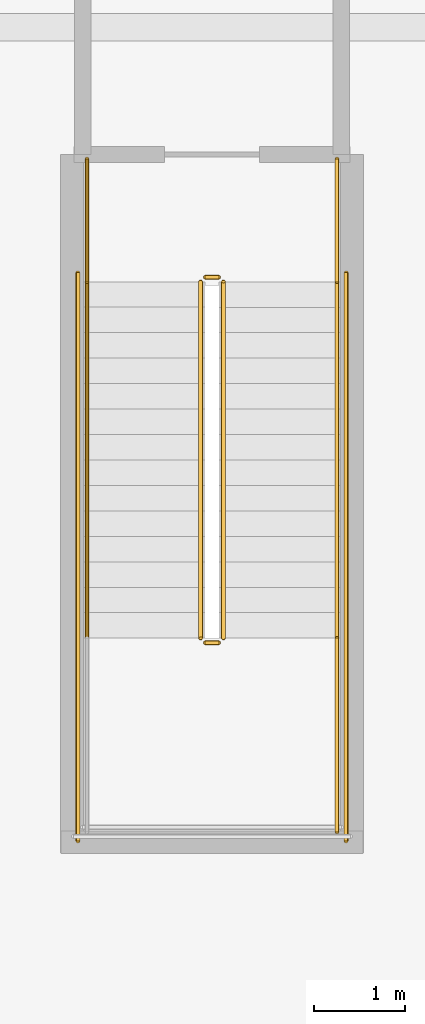
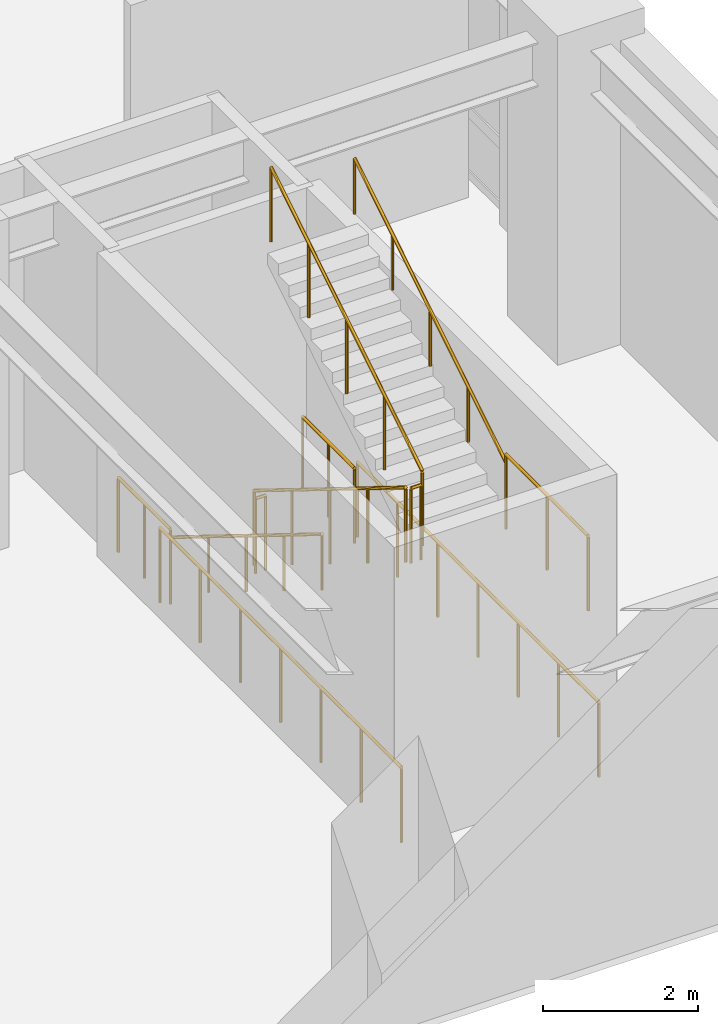
# One storey, part 26 of 26: 11 railings.
"""IFC4 building model written with IfcOpenShell, lengths in metres."""

from ifc_helpers import new_model, si_unit, direction, frame, origin, origin_2d, place, context, subcontext, project, spatial, circle, extrude, material, type_object, element, save


model = new_model("IFC4")

# Units and contexts
model_context = context("Model", 3, precision=1e-05, world=origin(), true_north=direction((0.0, 1.0)))
body_context = subcontext(model_context, "Body", "Model", "MODEL_VIEW")
ifc_project = project(units=[si_unit("LENGTHUNIT", "METRE"), si_unit("AREAUNIT", "SQUARE_METRE"), si_unit("VOLUMEUNIT", "CUBIC_METRE"), si_unit("PLANEANGLEUNIT", "RADIAN"), si_unit("MASSUNIT", "GRAM", prefix="KILO")], contexts=[model_context])

# Site, building, storey
site_placement = place(None, origin())
site = spatial("IfcSite", under=ifc_project, at=site_placement, CompositionType="ELEMENT")
building_placement = place(site_placement, origin())
building = spatial("IfcBuilding", under=site, at=building_placement, Name="Voryun Gate Residences", CompositionType="ELEMENT")
storey_placement = place(building_placement, frame((0.0, 0.0, 15.60009765625)))
storey = spatial("IfcBuildingStorey", under=building, at=storey_placement, Name="L03", CompositionType="ELEMENT", Elevation=15.60009765625)

# Railings
ifc_material_1 = material(Name="Painted steel", Category="steel")
railing_type_1 = type_object("IfcRailingType", Name="RAIL_STAIR_GUARD_1200", PredefinedType="GUARDRAIL", material=ifc_material_1)
railing_1_placement = place(storey_placement, frame((28.675048828125, -14.199951171875, 0.17333984375)))
element("IfcRailing", 1, at=railing_1_placement, inside=storey, type_object=railing_type_1, Name="L03 ST-P2 stair guard 1", PredefinedType="GUARDRAIL", context=body_context, shape_type="SweptSolid", body=[
    extrude(circle(Radius=0.02392578125, at=origin_2d()), frame((0.0, 0.0, 1.17578125), z_axis=(0.0, -0.850289973577, 0.526314507528), x_axis=(1.0, 0.0, 0.0)), (0.0, 0.0, 1.0), 4.6103515625),
    extrude(circle(Radius=0.02099609375, at=origin_2d()), origin(), (0.0, 0.0, 1.0), 1.15185546875),
    extrude(circle(Radius=0.02099609375, at=origin_2d()), frame((0.0, -0.97998046875, 0.606689453125)), (0.0, 0.0, 1.0), 1.15185546875),
    extrude(circle(Radius=0.02099609375, at=origin_2d()), frame((0.0, -1.9599609375, 1.21337890625)), (0.0, 0.0, 1.0), 1.15185546875),
    extrude(circle(Radius=0.02099609375, at=origin_2d()), frame((0.0, -2.940185546875, 1.81982421875)), (0.0, 0.0, 1.0), 1.15185546875),
    extrude(circle(Radius=0.02099609375, at=origin_2d()), frame((0.0, -3.920166015625, 2.426513671875)), (0.0, 0.0, 1.0), 1.15185546875),
])
railing_2_placement = place(storey_placement, frame((28.72509765625, -18.169921875, 2.599853515625)))
element("IfcRailing", 2, at=railing_2_placement, inside=storey, type_object=railing_type_1, Name="L03 ST-P2 stair guard 2", PredefinedType="GUARDRAIL", context=body_context, shape_type="SweptSolid", body=[
    extrude(circle(Radius=0.02392578125, at=origin_2d()), frame((0.0, 0.0, 1.17578125), z_axis=(1.0, 0.0, 0.0), x_axis=(0.0, 1.0, 0.0)), (0.0, 0.0, 1.0), 0.14990234375),
    extrude(circle(Radius=0.02099609375, at=origin_2d()), origin(), (0.0, 0.0, 1.0), 1.15185546875),
    extrude(circle(Radius=0.02099609375, at=origin_2d()), frame((0.14990234375, 0.0, 0.0)), (0.0, 0.0, 1.0), 1.15185546875),
])
railing_3_placement = place(storey_placement, frame((30.175048828125, -18.1201171875, 2.599853515625)))
element("IfcRailing", 3, at=railing_3_placement, inside=storey, type_object=railing_type_1, Name="L03 ST-P2 stair guard 4", PredefinedType="GUARDRAIL", context=body_context, shape_type="SweptSolid", body=[
    extrude(circle(Radius=0.02392578125, at=origin_2d()), frame((0.0, 0.0, 1.17578125), z_axis=(0.0, -1.0, 0.0), x_axis=(1.0, 0.0, 0.0)), (0.0, 0.0, 1.0), 2.1298828125),
    extrude(circle(Radius=0.02099609375, at=origin_2d()), origin(), (0.0, 0.0, 1.0), 1.15185546875),
    extrude(circle(Radius=0.02099609375, at=origin_2d()), frame((0.0, -1.06494140625, 0.0)), (0.0, 0.0, 1.0), 1.15185546875),
    extrude(circle(Radius=0.02099609375, at=origin_2d()), frame((0.0, -2.1298828125, 0.0)), (0.0, 0.0, 1.0), 1.15185546875),
])
railing_4_placement = place(storey_placement, frame((28.925048828125, -18.1201171875, 2.773193359375)))
element("IfcRailing", 4, at=railing_4_placement, inside=storey, type_object=railing_type_1, Name="L03 ST-P2 stair guard 6", PredefinedType="GUARDRAIL", context=body_context, shape_type="SweptSolid", body=[
    extrude(circle(Radius=0.02392578125, at=origin_2d()), frame((0.0, 0.0, 1.17578125), z_axis=(0.0, 0.850266275192, 0.526352791643), x_axis=(-1.0, 0.0, 0.0)), (0.0, 0.0, 1.0), 4.610595703125),
    extrude(circle(Radius=0.02099609375, at=origin_2d()), origin(), (0.0, 0.0, 1.0), 1.15185546875),
    extrude(circle(Radius=0.02099609375, at=origin_2d()), frame((0.0, 0.97998046875, 0.606689453125)), (0.0, 0.0, 1.0), 1.15185546875),
    extrude(circle(Radius=0.02099609375, at=origin_2d()), frame((0.0, 1.9599609375, 1.21337890625)), (0.0, 0.0, 1.0), 1.15185546875),
    extrude(circle(Radius=0.02099609375, at=origin_2d()), frame((0.0, 2.940185546875, 1.820068359375)), (0.0, 0.0, 1.0), 1.15185546875),
    extrude(circle(Radius=0.02099609375, at=origin_2d()), frame((0.0, 3.920166015625, 2.4267578125)), (0.0, 0.0, 1.0), 1.15185546875),
])
railing_5_placement = place(storey_placement, frame((28.72509765625, -14.14990234375, 0.0)))
element("IfcRailing", 5, at=railing_5_placement, inside=storey, type_object=railing_type_1, Name="L03 ST-P2 stair guard 7", PredefinedType="GUARDRAIL", context=body_context, shape_type="SweptSolid", body=[
    extrude(circle(Radius=0.02392578125, at=origin_2d()), frame((0.0, 0.0, 1.17578125), z_axis=(1.0, 0.0, 0.0), x_axis=(0.0, 1.0, 0.0)), (0.0, 0.0, 1.0), 0.14990234375),
    extrude(circle(Radius=0.02099609375, at=origin_2d()), origin(), (0.0, 0.0, 1.0), 1.15185546875),
    extrude(circle(Radius=0.02099609375, at=origin_2d()), frame((0.14990234375, 0.0, 0.0)), (0.0, 0.0, 1.0), 1.15185546875),
])
for number, where, name in (
    (6, (27.425048828125, -12.85009765625, 0.0), "L03 ST-P2 stair guard 8"),
    (7, (30.175048828125, -12.85009765625, 0.0), "L03 ST-P2 stair guard 9"),
):
    element("IfcRailing", number, at=place(storey_placement, frame(where)), inside=storey, type_object=railing_type_1, Name=name, PredefinedType="GUARDRAIL", context=body_context, shape_type="SweptSolid", body=[
        extrude(circle(Radius=0.02392578125, at=origin_2d()), frame((0.0, 0.0, 1.17578125), z_axis=(0.0, -1.0, 0.0), x_axis=(1.0, 0.0, 0.0)), (0.0, 0.0, 1.0), 1.349853515625),
        extrude(circle(Radius=0.02099609375, at=origin_2d()), origin(), (0.0, 0.0, 1.0), 1.15185546875),
        extrude(circle(Radius=0.02099609375, at=origin_2d()), frame((0.0, -0.6748046875, 0.0)), (0.0, 0.0, 1.0), 1.15185546875),
        extrude(circle(Radius=0.02099609375, at=origin_2d()), frame((0.0, -1.349853515625, 0.0)), (0.0, 0.0, 1.0), 1.15185546875),
    ])
for number, where, name in (
    (8, (27.324951171875, -14.10009765625, 0.0), "L03 ST-P2 stair guard 10"),
    (9, (30.27490234375, -14.10009765625, 0.0), "L03 ST-P2 stair guard 11"),
):
    element("IfcRailing", number, at=place(storey_placement, frame(where)), inside=storey, type_object=railing_type_1, Name=name, PredefinedType="GUARDRAIL", context=body_context, shape_type="SweptSolid", body=[
        extrude(circle(Radius=0.02392578125, at=origin_2d()), frame((0.0, 0.0, 1.17578125), z_axis=(0.0, -1.0, 0.0), x_axis=(1.0, 0.0, 0.0)), (0.0, 0.0, 1.0), 6.25),
        extrude(circle(Radius=0.02099609375, at=origin_2d()), origin(), (0.0, 0.0, 1.0), 1.15185546875),
        extrude(circle(Radius=0.02099609375, at=origin_2d()), frame((0.0, -1.041748046875, 0.0)), (0.0, 0.0, 1.0), 1.15185546875),
        extrude(circle(Radius=0.02099609375, at=origin_2d()), frame((0.0, -2.083251953125, 0.0)), (0.0, 0.0, 1.0), 1.15185546875),
        extrude(circle(Radius=0.02099609375, at=origin_2d()), frame((0.0, -3.125, 0.0)), (0.0, 0.0, 1.0), 1.15185546875),
        extrude(circle(Radius=0.02099609375, at=origin_2d()), frame((0.0, -4.166748046875, 0.0)), (0.0, 0.0, 1.0), 1.15185546875),
        extrude(circle(Radius=0.02099609375, at=origin_2d()), frame((0.0, -5.208251953125, 0.0)), (0.0, 0.0, 1.0), 1.15185546875),
        extrude(circle(Radius=0.02099609375, at=origin_2d()), frame((0.0, -6.25, 0.0)), (0.0, 0.0, 1.0), 1.15185546875),
    ])
ifc_material_2 = material(Name="Painted steel", Category="steel")
railing_type_2 = type_object("IfcRailingType", Name="RAIL_STAIR_HANDRAIL_900", PredefinedType="HANDRAIL", material=ifc_material_2)
railing_6_placement = place(storey_placement, frame((27.425048828125, -14.199951171875, 0.17333984375)))
element("IfcRailing", 10, at=railing_6_placement, inside=storey, type_object=railing_type_2, Name="L03 ST-P2 stair handrail 1", PredefinedType="HANDRAIL", context=body_context, shape_type="SweptSolid", body=[
    extrude(circle(Radius=0.02392578125, at=origin_2d()), frame((0.0, 0.0, 0.8759765625), z_axis=(0.0, -0.850289973577, 0.526314507528), x_axis=(1.0, 0.0, 0.0)), (0.0, 0.0, 1.0), 4.6103515625),
    extrude(circle(Radius=0.02099609375, at=origin_2d()), origin(), (0.0, 0.0, 1.0), 0.851806640625),
    extrude(circle(Radius=0.02099609375, at=origin_2d()), frame((0.0, -0.97998046875, 0.606689453125)), (0.0, 0.0, 1.0), 0.851806640625),
    extrude(circle(Radius=0.02099609375, at=origin_2d()), frame((0.0, -1.9599609375, 1.21337890625)), (0.0, 0.0, 1.0), 0.851806640625),
    extrude(circle(Radius=0.02099609375, at=origin_2d()), frame((0.0, -2.940185546875, 1.81982421875)), (0.0, 0.0, 1.0), 0.851806640625),
    extrude(circle(Radius=0.02099609375, at=origin_2d()), frame((0.0, -3.920166015625, 2.426513671875)), (0.0, 0.0, 1.0), 0.851806640625),
])
railing_7_placement = place(storey_placement, frame((30.175048828125, -18.1201171875, 2.773193359375)))
element("IfcRailing", 11, at=railing_7_placement, inside=storey, type_object=railing_type_2, Name="L03 ST-P2 stair handrail 2", PredefinedType="HANDRAIL", context=body_context, shape_type="SweptSolid", body=[
    extrude(circle(Radius=0.02392578125, at=origin_2d()), frame((0.0, 0.0, 0.8759765625), z_axis=(0.0, 0.850266275192, 0.526352791643), x_axis=(-1.0, 0.0, 0.0)), (0.0, 0.0, 1.0), 4.610595703125),
    extrude(circle(Radius=0.02099609375, at=origin_2d()), origin(), (0.0, 0.0, 1.0), 0.851806640625),
    extrude(circle(Radius=0.02099609375, at=origin_2d()), frame((0.0, 0.97998046875, 0.606689453125)), (0.0, 0.0, 1.0), 0.851806640625),
    extrude(circle(Radius=0.02099609375, at=origin_2d()), frame((0.0, 1.9599609375, 1.21337890625)), (0.0, 0.0, 1.0), 0.851806640625),
    extrude(circle(Radius=0.02099609375, at=origin_2d()), frame((0.0, 2.940185546875, 1.820068359375)), (0.0, 0.0, 1.0), 0.851806640625),
    extrude(circle(Radius=0.02099609375, at=origin_2d()), frame((0.0, 3.920166015625, 2.4267578125)), (0.0, 0.0, 1.0), 0.851806640625),
])

save(model, "model.ifc")
